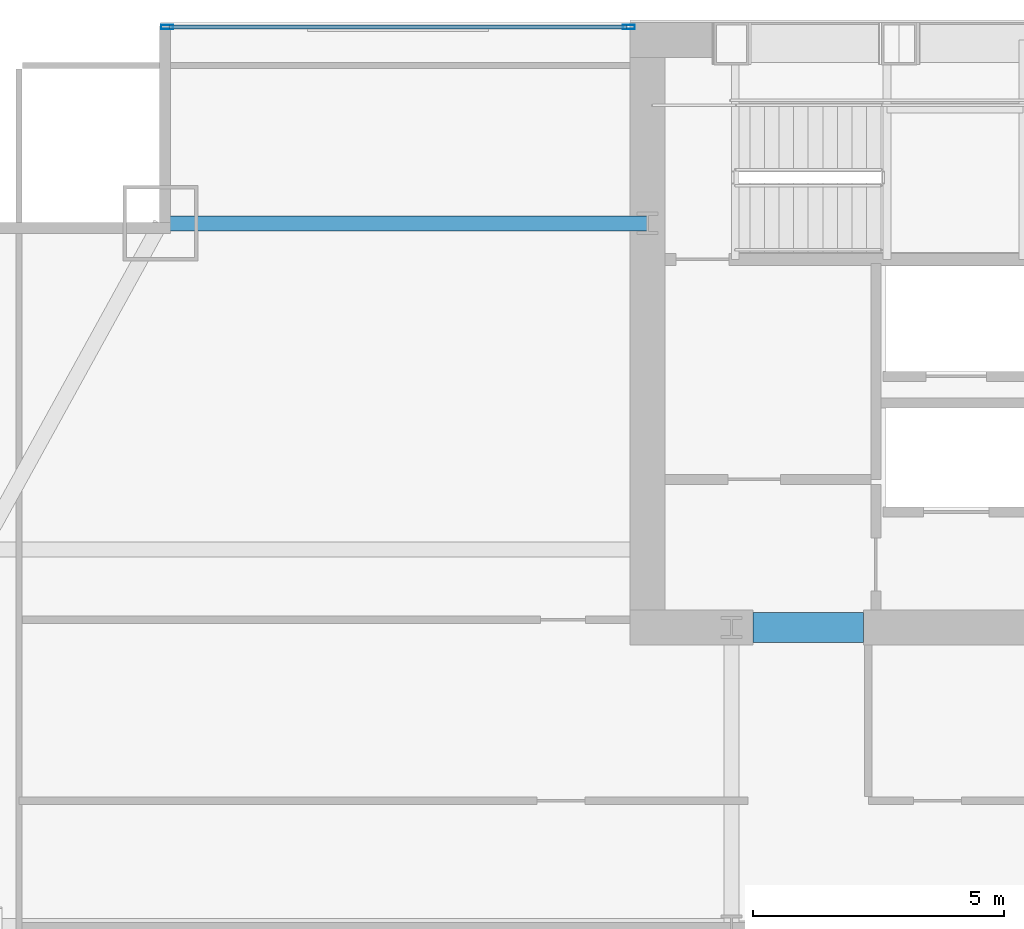
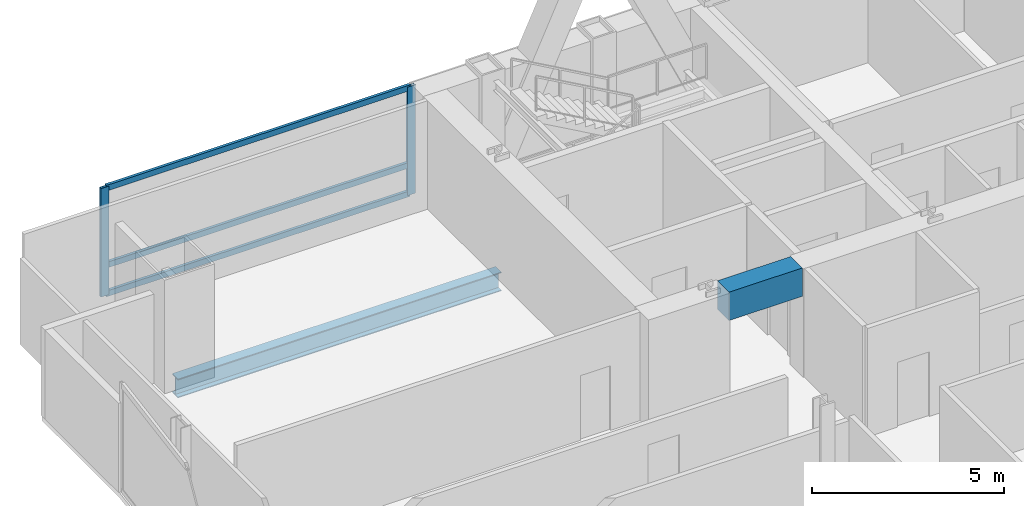
# One storey, part 18 of 31: 5 members, 2 beams, 1 element without a shape of its own.
"""IFC4 building model written with IfcOpenShell, lengths in metres."""

import ifcopenshell
import ifcopenshell.guid

model = None  # the IFC model being written
_history = None  # IfcOwnerHistory: only IFC2X3 demands one
_inside = {}  # id of a spatial element -> (the spatial element, [elements in it])
_under = {}  # id of a project, library or spatial element -> (it, [spatial elements below it])
_declared = {}  # id of a project -> (the project, [libraries it declares])
_typed = {}  # id of a type object -> (the type object, [elements of that type])
_made_of = {}  # id of a material, layer set ... -> (it, [elements and type objects made of it])


def new_model(schema):
    """Start an empty IFC model of exactly this schema.

    Asked for "IFC4X3", IfcOpenShell would pick the latest addendum, in which some entities
    have other attributes; the version numbers below select the first issue.
    IFC2X3 requires an IfcOwnerHistory on every rooted entity: one is made here for all.
    """
    global model, _history
    if schema == "IFC4X3":
        model = ifcopenshell.file(schema_version=(4, 3, 0, 0))
    else:
        model = ifcopenshell.file(schema=schema)
    _inside.clear()
    _under.clear()
    _declared.clear()
    _typed.clear()
    _made_of.clear()
    _history = None
    if model.schema == "IFC2X3":
        org = make("IfcOrganization", Name="unknown")
        user = make(
            "IfcPersonAndOrganization",
            ThePerson=make("IfcPerson", FamilyName="unknown"),
            TheOrganization=org,
        )
        app = make(
            "IfcApplication",
            ApplicationDeveloper=org,
            Version="unknown",
            ApplicationFullName="unknown",
            ApplicationIdentifier="unknown",
        )
        _history = make(
            "IfcOwnerHistory",
            OwningUser=user,
            OwningApplication=app,
            ChangeAction="ADDED",
            CreationDate=0,
        )
    return model


def make(cls, **values):
    """One entity of the class cls with the attributes given. An attribute that is None is left unset."""
    return model.create_entity(
        cls, **{name: value for name, value in values.items() if value is not None}
    )


def rooted(cls, **values):
    """An entity with a GlobalId (a new one), such as an element, a storey or a relation."""
    return make(cls, GlobalId=ifcopenshell.guid.new(), OwnerHistory=_history, **values)


def si_unit(unit_type, name, prefix=None):
    """IfcSIUnit, for example si_unit("LENGTHUNIT", "METRE", prefix="MILLI")."""
    return make("IfcSIUnit", UnitType=unit_type, Prefix=prefix, Name=name)


def assignment(units):
    """IfcUnitAssignment: the units of a project."""
    return None if units is None else make("IfcUnitAssignment", Units=units)


def point(xyz):
    """IfcCartesianPoint."""
    return None if xyz is None else make("IfcCartesianPoint", Coordinates=xyz)


def direction(xyz):
    """IfcDirection."""
    return None if xyz is None else make("IfcDirection", DirectionRatios=xyz)


def frame(location, z_axis=None, x_axis=None):
    """IfcAxis2Placement3D, a coordinate frame: its origin and axes. An axis left out is left unset."""
    return make(
        "IfcAxis2Placement3D",
        Location=point(location),
        Axis=direction(z_axis),
        RefDirection=direction(x_axis),
    )


def frame_2d(location, x_axis=None):
    """IfcAxis2Placement2D, a coordinate frame in the plane: its origin and x axis."""
    return make(
        "IfcAxis2Placement2D", Location=point(location), RefDirection=direction(x_axis)
    )


def origin():
    """The frame at (0, 0, 0) with its axes left unset."""
    return frame((0.0, 0.0, 0.0))


def origin_2d():
    """The frame at (0, 0) in the plane with its x axis left unset."""
    return frame_2d((0.0, 0.0))


def place(relative_to, where):
    """IfcLocalPlacement: puts the frame where relative to a parent placement (None: the world)."""
    return make(
        "IfcLocalPlacement", PlacementRelTo=relative_to, RelativePlacement=where
    )


def context(
    kind, dimensions, precision=None, world=None, true_north=None, identifier=None
):
    """IfcGeometricRepresentationContext, for example the 3D "Model" context."""
    return make(
        "IfcGeometricRepresentationContext",
        ContextIdentifier=identifier,
        ContextType=kind,
        CoordinateSpaceDimension=dimensions,
        Precision=precision,
        WorldCoordinateSystem=world,
        TrueNorth=true_north,
    )


def subcontext(parent, identifier, kind, view, scale=None):
    """IfcGeometricRepresentationSubContext, for example "Body" below "Model"."""
    return make(
        "IfcGeometricRepresentationSubContext",
        ContextIdentifier=identifier,
        ContextType=kind,
        ParentContext=parent,
        TargetScale=scale,
        TargetView=view,
    )


def project(units=None, contexts=None):
    """IfcProject with its units and contexts."""
    return rooted(
        "IfcProject",
        Name="project",
        RepresentationContexts=contexts,
        UnitsInContext=assignment(units),
    )


def spatial(cls, under=None, at=None, **own):
    """A site, building, storey or space (cls), placed at a placement, below another one or the project."""
    s = rooted(cls, ObjectPlacement=at, **own)
    if under is not None:
        _under.setdefault(under.id(), (under, []))[1].append(s)
    return s


def profile(cls, at=None, kind="AREA", **sizes):
    """A parametric profile (cls). Its sizes go by their IFC names, for example OverallWidth=200.0."""
    return make(cls, ProfileType=kind, Position=at, **sizes)


def rectangle(**sizes):
    """IfcRectangleProfileDef."""
    return profile("IfcRectangleProfileDef", **sizes)


def hollow_rectangle(**sizes):
    """IfcRectangleHollowProfileDef."""
    return profile("IfcRectangleHollowProfileDef", **sizes)


def i_section(**sizes):
    """IfcIShapeProfileDef."""
    return profile("IfcIShapeProfileDef", **sizes)


def extrude(swept, where, along, depth):
    """IfcExtrudedAreaSolid: the profile swept, set in the frame where, extruded along a direction by depth."""
    return make(
        "IfcExtrudedAreaSolid",
        SweptArea=swept,
        Position=where,
        ExtrudedDirection=direction(along),
        Depth=depth,
    )


def shape(context_of_items, identifier, shape_type, items):
    """IfcShapeRepresentation: the items that make up one representation, for example the "Body"."""
    return make(
        "IfcShapeRepresentation",
        ContextOfItems=context_of_items,
        RepresentationIdentifier=identifier,
        RepresentationType=shape_type,
        Items=items,
    )


def material(Name=None, Category=None):
    """IfcMaterial."""
    return make("IfcMaterial", Name=Name, Category=Category)


def material_profile(
    of_material, cross_section, Name=None, Category=None, Priority=None
):
    """IfcMaterialProfile: a cross section and its material."""
    return make(
        "IfcMaterialProfile",
        Name=Name,
        Material=of_material,
        Profile=cross_section,
        Priority=Priority,
        Category=Category,
    )


def profile_set(profiles, Name=None, composite=None):
    """IfcMaterialProfileSet."""
    return make(
        "IfcMaterialProfileSet",
        Name=Name,
        MaterialProfiles=profiles,
        CompositeProfile=composite,
    )


def made_of(thing, what):
    """Note that an element or type object is made of a material, layer set ...; save() writes the relation."""
    if what is not None:
        _made_of.setdefault(what.id(), (what, []))[1].append(thing)
    return thing


def type_object(cls, material=None, **own):
    """A type object (cls), such as IfcWallType, which elements share."""
    return made_of(rooted(cls, **own), material)


def element(
    cls,
    number,
    at=None,
    inside=None,
    cuts=None,
    type_object=None,
    material=None,
    context=None,
    identifier="Body",
    shape_type=None,
    held_by="IfcProductDefinitionShape",
    body=None,
    shapes=None,
    **own,
):
    """One element of the class cls, such as IfcWall. Its Tag is "e" and its number.

    at: its placement. inside: the storey or other place that contains it. cuts: it is an
    opening in that element (IfcRelVoidsElement). A single representation is given by context,
    identifier, shape_type and body (its items); several are given by shapes. held_by: the class
    of the entity that holds the representations. save() writes the other relations.
    """
    e = rooted(cls, Tag="e%d" % number, ObjectPlacement=at, **own)
    if body is not None:
        shapes = [shape(context, identifier, shape_type, body)]
    if shapes is not None:
        e.Representation = make(held_by, Representations=shapes)
    if inside is not None:
        _inside.setdefault(inside.id(), (inside, []))[1].append(e)
    if cuts is not None:
        rooted(
            "IfcRelVoidsElement", RelatingBuildingElement=cuts, RelatedOpeningElement=e
        )
    if type_object is not None:
        _typed.setdefault(type_object.id(), (type_object, []))[1].append(e)
    return made_of(e, material)


def aggregate(whole, parts):
    """IfcRelAggregates: a whole, such as a stair, and the parts it consists of."""
    return rooted("IfcRelAggregates", RelatingObject=whole, RelatedObjects=parts)


def save(model, path):
    """Write the relations noted so far, then the file.

    IfcRelAggregates (storeys below a building ...), IfcRelContainedInSpatialStructure (elements
    in a storey), IfcRelDefinesByType, IfcRelAssociatesMaterial and IfcRelDeclares: one each for
    every whole, place, type object, material and project.
    """
    for whole, parts in _under.values():
        aggregate(whole, parts)
    for where, things in _inside.values():
        rooted(
            "IfcRelContainedInSpatialStructure",
            RelatedElements=things,
            RelatingStructure=where,
        )
    for kind, things in _typed.values():
        rooted("IfcRelDefinesByType", RelatedObjects=things, RelatingType=kind)
    for what, things in _made_of.values():
        rooted("IfcRelAssociatesMaterial", RelatedObjects=things, RelatingMaterial=what)
    for by, libraries in _declared.values():
        rooted("IfcRelDeclares", RelatingContext=by, RelatedDefinitions=libraries)
    model.write(path)


model = new_model("IFC4")

# Units and contexts
model_context = context("Model", 3, precision=1e-05, world=origin(), true_north=direction((0.0, 1.0)))
body_context = subcontext(model_context, "Body", "Model", "MODEL_VIEW")
ifc_project = project(units=[si_unit("LENGTHUNIT", "METRE"), si_unit("AREAUNIT", "SQUARE_METRE"), si_unit("VOLUMEUNIT", "CUBIC_METRE"), si_unit("PLANEANGLEUNIT", "RADIAN"), si_unit("MASSUNIT", "GRAM", prefix="KILO")], contexts=[model_context])

# Site, building, storey
site_placement = place(None, origin())
site = spatial("IfcSite", under=ifc_project, at=site_placement, CompositionType="ELEMENT")
building_placement = place(site_placement, origin())
building = spatial("IfcBuilding", under=site, at=building_placement, Name="Khoronbel Lancet Exchange", CompositionType="ELEMENT")
storey_placement = place(building_placement, frame((0.0, 0.0, 129.0)))
storey = spatial("IfcBuildingStorey", under=building, at=storey_placement, Name="L31", CompositionType="ELEMENT", Elevation=129.0)

# Beams
ifc_material_1 = material(Name="Concrete C80/95", Category="concrete")
ifc_material_profile_1 = material_profile(ifc_material_1, rectangle(XDim=0.60009765625, YDim=0.89990234375, at=origin_2d()), Name="RC 600x900")
ifc_profile_set_1 = profile_set([ifc_material_profile_1], Name="Concrete C80/95")
beam_type_1 = type_object("IfcBeamType", Name="BM-BL1", PredefinedType="LINTEL", material=ifc_profile_set_1)
beam_1_placement = place(storey_placement, frame((18.64990234375, 41.64990234375, 2.989990234375), z_axis=(1.0, 0.0, 0.0), x_axis=(0.0, 1.0, 0.0)))
element("IfcBeam", 1, at=beam_1_placement, inside=storey, type_object=beam_type_1, Name="Level L31 rear core coupling lintel L1", PredefinedType="LINTEL", context=body_context, shape_type="SweptSolid", body=[
    extrude(rectangle(XDim=0.60009765625, YDim=0.89990234375, at=origin_2d()), origin(), (0.0, 0.0, 1.0), 2.2001953125),
])
ifc_material_2 = material(Name="Steel S355", Category="steel")
ifc_material_profile_2 = material_profile(ifc_material_2, i_section(OverallWidth=0.300048828125, OverallDepth=0.60009765625, WebThickness=0.015380859375, FlangeThickness=0.030029296875, at=origin_2d()), Name="HEB 600")
ifc_profile_set_2 = profile_set([ifc_material_profile_2], Name="Steel S355")
beam_type_2 = type_object("IfcBeamType", Name="BM-BSP2", PredefinedType="SPANDREL", material=ifc_profile_set_2)
beam_2_placement = place(storey_placement, frame((6.85009765625, 49.699951171875, -0.4599609375), z_axis=(1.0, 0.0, 0.0), x_axis=(0.0, 1.0, 0.0)))
element("IfcBeam", 2, at=beam_2_placement, inside=storey, type_object=beam_type_2, Name="Level L31 north flank tie spandrel SP22", PredefinedType="SPANDREL", context=body_context, shape_type="SweptSolid", body=[
    extrude(i_section(OverallWidth=0.300048828125, OverallDepth=0.60009765625, WebThickness=0.015380859375, FlangeThickness=0.030029296875, at=origin_2d()), origin(), (0.0, 0.0, 1.0), 9.699951171875),
])

# Curtain wall, members
ifc_material_3 = material(Name="Low-E Solar Control Insulating Glass", Category="glass")
curtain_wall_type = type_object("IfcCurtainWallType", Name="CW-2", PredefinedType="NOTDEFINED", material=ifc_material_3)
curtain_wall_placement = place(storey_placement, origin())
curtain_wall = element("IfcCurtainWall", 3, at=curtain_wall_placement, inside=storey, type_object=curtain_wall_type, Name="Unitised curtain wall CW-L31-NWFLK", PredefinedType="NOTDEFINED")
ifc_material_4 = material(Name="Bronze-Anodised Aluminium 6063-T6", Category="aluminium")
ifc_material_profile_3 = material_profile(ifc_material_4, hollow_rectangle(XDim=0.0849609375, YDim=0.239990234375, WallThickness=0.006103515625, at=origin_2d()), Name="ALU MULLION 85x240")
ifc_profile_set_3 = profile_set([ifc_material_profile_3], Name="Bronze-Anodised Aluminium 6063-T6")
member_type_1 = type_object("IfcMemberType", Name="MEM-CWM1", PredefinedType="MULLION", material=ifc_profile_set_3)
member_1_placement = place(storey_placement, frame((16.177490234375, 53.610107421875, 0.0), z_axis=(0.0, 0.0, 1.0), x_axis=(0.0, -1.0, 0.0)))
member_1 = element("IfcMember", 4, at=member_1_placement, type_object=member_type_1, Name="CW2 mullion 1", PredefinedType="MULLION", context=body_context, shape_type="SweptSolid", body=[
    extrude(hollow_rectangle(XDim=0.0849609375, YDim=0.239990234375, WallThickness=0.006103515625, at=origin_2d()), origin(), (0.0, 0.0, 1.0), 3.43994140625),
])
member_2_placement = place(storey_placement, frame((6.982421875, 53.610107421875, 0.0), z_axis=(0.0, 0.0, 1.0), x_axis=(0.0, -1.0, 0.0)))
member_2 = element("IfcMember", 5, at=member_2_placement, type_object=member_type_1, Name="CW2 mullion 2", PredefinedType="MULLION", context=body_context, shape_type="SweptSolid", body=[
    extrude(hollow_rectangle(XDim=0.0849609375, YDim=0.239990234375, WallThickness=0.006103515625, at=origin_2d()), origin(), (0.0, 0.0, 1.0), 3.43994140625),
])
ifc_material_profile_4 = material_profile(ifc_material_4, hollow_rectangle(XDim=0.0849609375, YDim=0.179931640625, WallThickness=0.0048828125, at=origin_2d()), Name="ALU TRANSOM 85x180")
ifc_profile_set_4 = profile_set([ifc_material_profile_4], Name="Bronze-Anodised Aluminium 6063-T6")
member_type_2 = type_object("IfcMemberType", Name="MEM-CWT1", PredefinedType="USERDEFINED", material=ifc_profile_set_4)
member_3_placement = place(storey_placement, frame((16.135009765625, 53.610107421875, 0.04248046875), z_axis=(-1.0, 0.0, 0.0), x_axis=(0.0, -1.0, 0.0)))
member_3 = element("IfcMember", 6, at=member_3_placement, type_object=member_type_2, Name="CW2 transom 1.1", ObjectType="TRANSOM", PredefinedType="USERDEFINED", context=body_context, shape_type="SweptSolid", body=[
    extrude(hollow_rectangle(XDim=0.0849609375, YDim=0.179931640625, WallThickness=0.0048828125, at=origin_2d()), origin(), (0.0, 0.0, 1.0), 9.110107421875),
])
member_4_placement = place(storey_placement, frame((16.135009765625, 53.610107421875, 0.949951171875), z_axis=(-1.0, 0.0, 0.0), x_axis=(0.0, -1.0, 0.0)))
member_4 = element("IfcMember", 7, at=member_4_placement, type_object=member_type_2, Name="CW2 transom 1.2", ObjectType="TRANSOM", PredefinedType="USERDEFINED", context=body_context, shape_type="SweptSolid", body=[
    extrude(hollow_rectangle(XDim=0.0849609375, YDim=0.179931640625, WallThickness=0.0048828125, at=origin_2d()), origin(), (0.0, 0.0, 1.0), 9.110107421875),
])
member_5_placement = place(storey_placement, frame((16.135009765625, 53.610107421875, 3.3974609375), z_axis=(-1.0, 0.0, 0.0), x_axis=(0.0, -1.0, 0.0)))
member_5 = element("IfcMember", 8, at=member_5_placement, type_object=member_type_2, Name="CW2 transom 1.3", ObjectType="TRANSOM", PredefinedType="USERDEFINED", context=body_context, shape_type="SweptSolid", body=[
    extrude(hollow_rectangle(XDim=0.0849609375, YDim=0.179931640625, WallThickness=0.0048828125, at=origin_2d()), origin(), (0.0, 0.0, 1.0), 9.110107421875),
])
aggregate(curtain_wall, [member_1, member_2, member_3, member_4, member_5])

save(model, "model.ifc")
